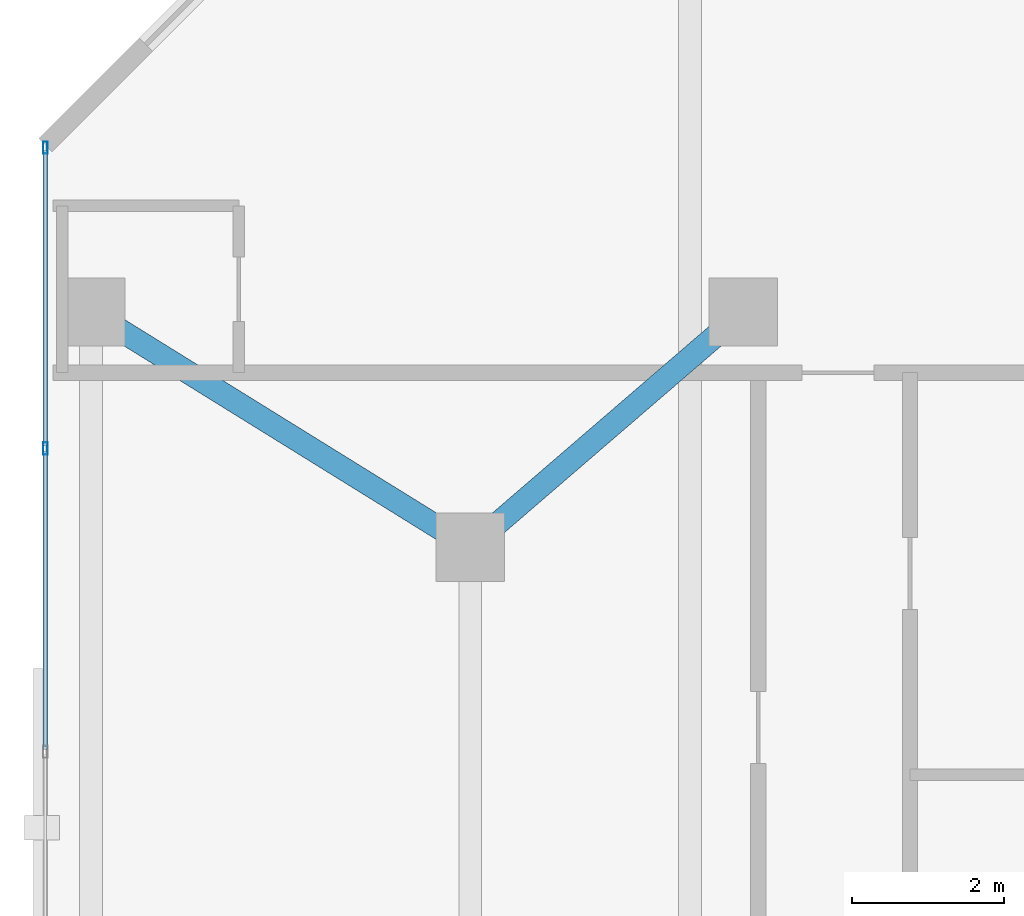
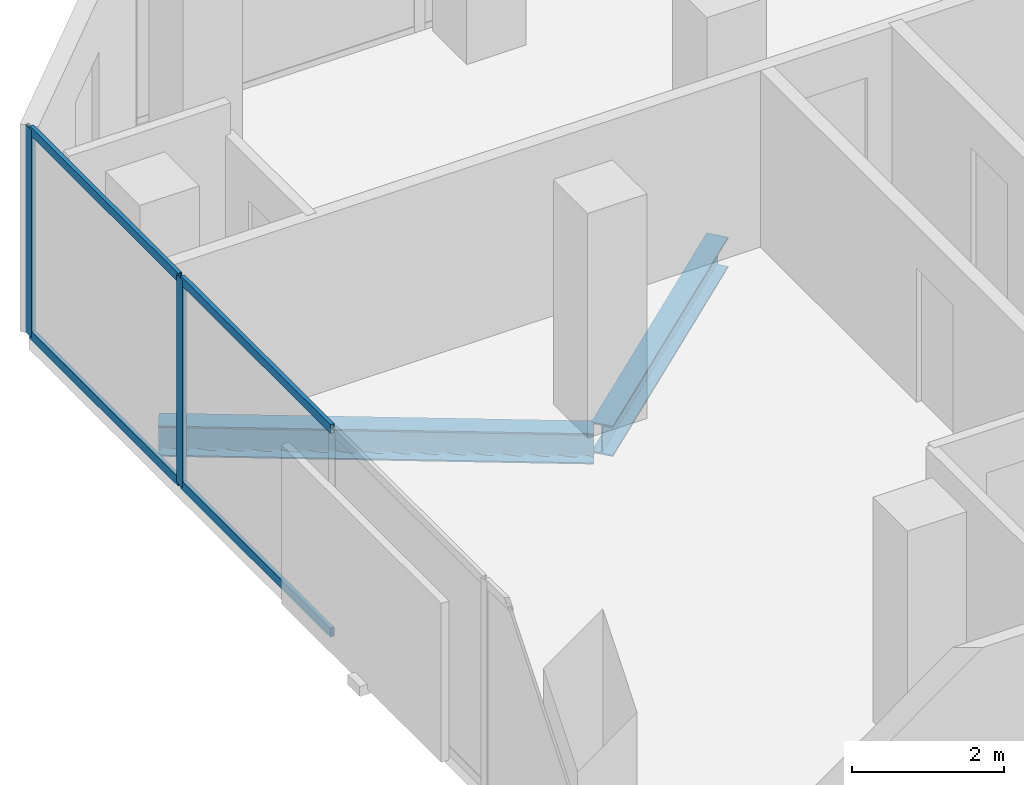
# One storey, part 17 of 34: 6 members, 2 beams, 1 element without a shape of its own.
"""IFC4 building model written with IfcOpenShell, lengths in metres."""

from ifc_helpers import new_model, si_unit, direction, frame, origin, origin_2d, place, context, subcontext, project, spatial, hollow_rectangle, i_section, extrude, material, layer, layer_set, material_profile, profile_set, type_object, element, aggregate, save


model = new_model("IFC4")

# Units and contexts
model_context = context("Model", 3, precision=1e-05, world=origin(), true_north=direction((0.0, 1.0)))
body_context = subcontext(model_context, "Body", "Model", "MODEL_VIEW")
ifc_project = project(units=[si_unit("LENGTHUNIT", "METRE"), si_unit("AREAUNIT", "SQUARE_METRE"), si_unit("VOLUMEUNIT", "CUBIC_METRE"), si_unit("PLANEANGLEUNIT", "RADIAN"), si_unit("MASSUNIT", "GRAM", prefix="KILO")], contexts=[model_context])

# Site, building, storey
site_placement = place(None, origin())
site = spatial("IfcSite", under=ifc_project, at=site_placement, CompositionType="ELEMENT")
building_placement = place(site_placement, origin())
building = spatial("IfcBuilding", under=site, at=building_placement, Name="Catumbela Crestline Tower", CompositionType="ELEMENT")
storey_placement = place(building_placement, frame((0.0, 0.0, 93.6)))
storey = spatial("IfcBuildingStorey", under=building, at=storey_placement, Name="L23", CompositionType="ELEMENT", Elevation=93.6)

# Beams
ifc_material_1 = material(Name="Structural steel S355J2", Category="steel")
ifc_material_profile_1 = material_profile(ifc_material_1, i_section(OverallWidth=0.3, OverallDepth=0.49, WebThickness=0.012, FlangeThickness=0.023, FilletRadius=0.027, at=origin_2d()), Name="HEA 500")
ifc_profile_set_1 = profile_set([ifc_material_profile_1], Name="Structural steel S355J2")
beam_type = type_object("IfcBeamType", Name="BG-HEA500", PredefinedType="BEAM", material=ifc_profile_set_1)
beam_1_placement = place(storey_placement, frame((0.668, 42.2578, -0.505), z_axis=(0.849908952007, -0.526929571479, 0.0), x_axis=(0.526929571479, 0.849908952007, 0.0)))
element("IfcBeam", 1, at=beam_1_placement, inside=storey, type_object=beam_type, Name="L23 Beam BM-L23-N12", PredefinedType="BEAM", context=body_context, shape_type="SweptSolid", body=[
    extrude(i_section(OverallWidth=0.3, OverallDepth=0.49, WebThickness=0.012, FlangeThickness=0.023, FilletRadius=0.027, at=origin_2d()), origin(), (0.0, 0.0, 1.0), 5.723),
])
beam_2_placement = place(storey_placement, frame((5.6606, 39.2522, -0.505), z_axis=(0.757772392559, 0.652518966066, 0.0), x_axis=(-0.652518966066, 0.757772392559, 0.0)))
element("IfcBeam", 2, at=beam_2_placement, inside=storey, type_object=beam_type, Name="L23 Beam BM-L23-N13", PredefinedType="BEAM", context=body_context, shape_type="SweptSolid", body=[
    extrude(i_section(OverallWidth=0.3, OverallDepth=0.49, WebThickness=0.012, FlangeThickness=0.023, FilletRadius=0.027, at=origin_2d()), origin(), (0.0, 0.0, 1.0), 4.5908),
])

# Curtain wall, members
ifc_material_2 = material(Name="Aluminium alloy AW-6060-T66", Category="aluminium")
ifc_layer = layer(ifc_material_2, 0.18, Name="Aluminium alloy AW-6060-T66")
ifc_layer_set = layer_set([ifc_layer], Name="Aluminium alloy AW-6060-T66")
curtain_wall_type = type_object("IfcCurtainWallType", Name="CWU-Z2", PredefinedType="USERDEFINED", material=ifc_layer_set)
curtain_wall_placement = place(storey_placement, origin())
curtain_wall = element("IfcCurtainWall", 3, at=curtain_wall_placement, inside=storey, type_object=curtain_wall_type, Name="L23 Unitised Curtain Wall CW-L23-E9S1", ObjectType="UNITISED", PredefinedType="USERDEFINED")
ifc_material_profile_2 = material_profile(ifc_material_2, hollow_rectangle(XDim=0.06, YDim=0.16, WallThickness=0.004, at=origin_2d()), Name="ALU 160x60x4")
ifc_profile_set_2 = profile_set([ifc_material_profile_2], Name="Aluminium alloy AW-6060-T66")
member_type_1 = type_object("IfcMemberType", Name="MUL-160X60", PredefinedType="MULLION", material=ifc_profile_set_2)
member_1_placement = place(storey_placement, frame((0.0, 44.4675, 0.0), z_axis=(0.0, 0.0, 1.0), x_axis=(1.0, 0.0, 0.0)))
member_1 = element("IfcMember", 4, at=member_1_placement, type_object=member_type_1, Name="CWU-Z2 mullion 1", PredefinedType="MULLION", context=body_context, shape_type="SweptSolid", body=[
    extrude(hollow_rectangle(XDim=0.06, YDim=0.16, WallThickness=0.004, at=origin_2d()), origin(), (0.0, 0.0, 1.0), 3.33),
])
member_2_placement = place(storey_placement, frame((0.0, 40.5, 0.0), z_axis=(0.0, 0.0, 1.0), x_axis=(1.0, 0.0, 0.0)))
member_2 = element("IfcMember", 5, at=member_2_placement, type_object=member_type_1, Name="CWU-Z2 mullion 2", PredefinedType="MULLION", context=body_context, shape_type="SweptSolid", body=[
    extrude(hollow_rectangle(XDim=0.06, YDim=0.16, WallThickness=0.004, at=origin_2d()), origin(), (0.0, 0.0, 1.0), 3.33),
])
ifc_material_profile_3 = material_profile(ifc_material_2, hollow_rectangle(XDim=0.06, YDim=0.14, WallThickness=0.004, at=origin_2d()), Name="ALU 140x60x4")
ifc_profile_set_3 = profile_set([ifc_material_profile_3], Name="Aluminium alloy AW-6060-T66")
member_type_2 = type_object("IfcMemberType", Name="TRN-140X60", PredefinedType="USERDEFINED", material=ifc_profile_set_3)
member_3_placement = place(storey_placement, frame((0.0, 44.435, 0.03), z_axis=(0.0, -1.0, 0.0), x_axis=(1.0, 0.0, 0.0)))
member_3 = element("IfcMember", 6, at=member_3_placement, type_object=member_type_2, Name="CWU-Z2 transom 1.1", ObjectType="TRANSOM", PredefinedType="USERDEFINED", context=body_context, shape_type="SweptSolid", body=[
    extrude(hollow_rectangle(XDim=0.06, YDim=0.14, WallThickness=0.004, at=origin_2d()), origin(), (0.0, 0.0, 1.0), 3.9025),
])
member_4_placement = place(storey_placement, frame((0.0, 44.435, 3.3), z_axis=(0.0, -1.0, 0.0), x_axis=(1.0, 0.0, 0.0)))
member_4 = element("IfcMember", 7, at=member_4_placement, type_object=member_type_2, Name="CWU-Z2 transom 1.2", ObjectType="TRANSOM", PredefinedType="USERDEFINED", context=body_context, shape_type="SweptSolid", body=[
    extrude(hollow_rectangle(XDim=0.06, YDim=0.14, WallThickness=0.004, at=origin_2d()), origin(), (0.0, 0.0, 1.0), 3.9025),
])
member_5_placement = place(storey_placement, frame((0.0, 40.4675, 0.03), z_axis=(0.0, -1.0, 0.0), x_axis=(1.0, 0.0, 0.0)))
member_5 = element("IfcMember", 8, at=member_5_placement, type_object=member_type_2, Name="CWU-Z2 transom 2.1", ObjectType="TRANSOM", PredefinedType="USERDEFINED", context=body_context, shape_type="SweptSolid", body=[
    extrude(hollow_rectangle(XDim=0.06, YDim=0.14, WallThickness=0.004, at=origin_2d()), origin(), (0.0, 0.0, 1.0), 3.935),
])
member_6_placement = place(storey_placement, frame((0.0, 40.4675, 3.3), z_axis=(0.0, -1.0, 0.0), x_axis=(1.0, 0.0, 0.0)))
member_6 = element("IfcMember", 9, at=member_6_placement, type_object=member_type_2, Name="CWU-Z2 transom 2.2", ObjectType="TRANSOM", PredefinedType="USERDEFINED", context=body_context, shape_type="SweptSolid", body=[
    extrude(hollow_rectangle(XDim=0.06, YDim=0.14, WallThickness=0.004, at=origin_2d()), origin(), (0.0, 0.0, 1.0), 3.935),
])
aggregate(curtain_wall, [member_1, member_2, member_3, member_4, member_5, member_6])

save(model, "model.ifc")
